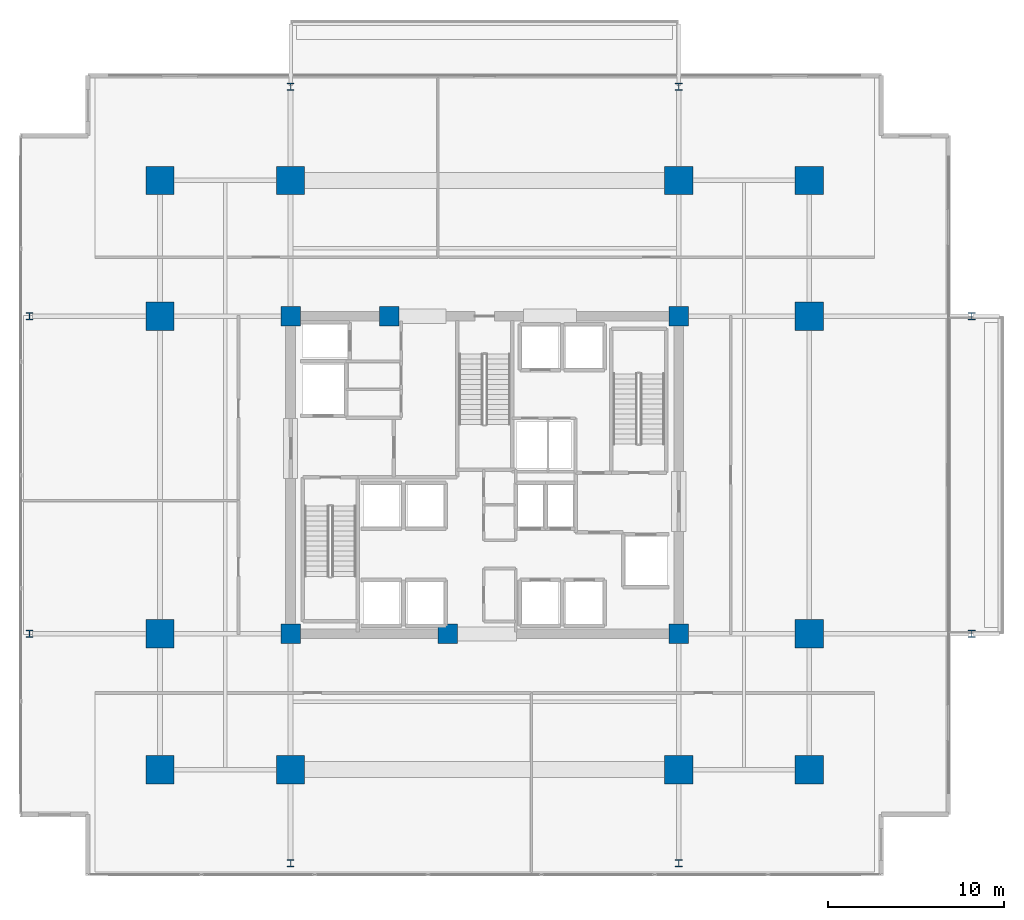
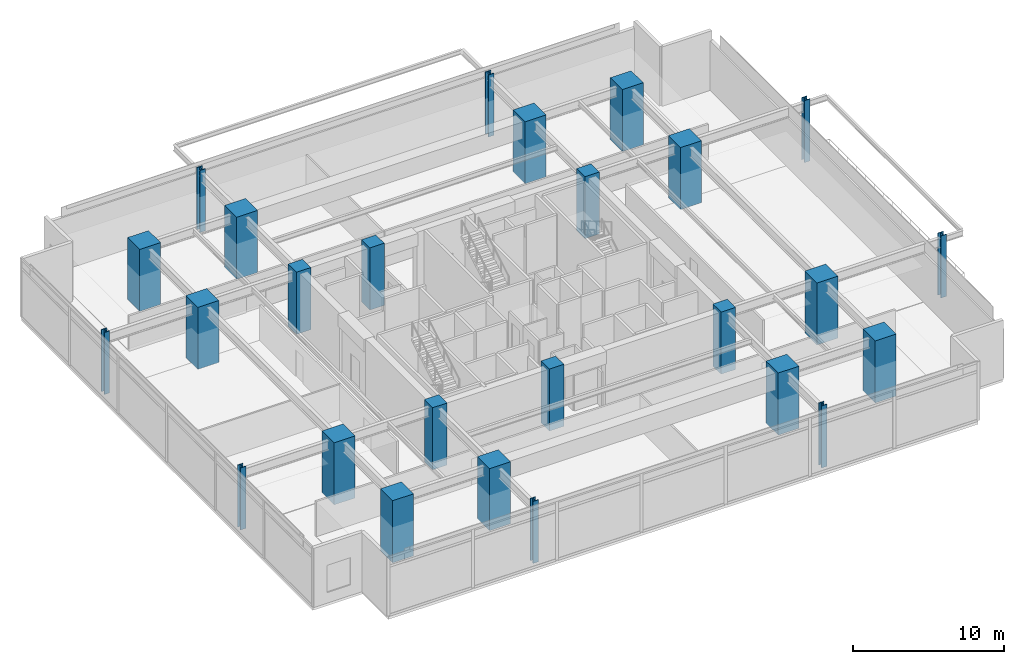
# One storey, part 1 of 20: 26 columns.
"""IFC4 building model written with IfcOpenShell, lengths in metres."""

from ifc_helpers import new_model, si_unit, direction, frame, origin, origin_2d, place, context, subcontext, project, spatial, rectangle, i_section, extrude, material, material_profile, profile_set, type_object, element, save


model = new_model("IFC4")

# Units and contexts
model_context = context("Model", 3, precision=1e-05, world=origin(), true_north=direction((0.0, 1.0)))
body_context = subcontext(model_context, "Body", "Model", "MODEL_VIEW")
ifc_project = project(units=[si_unit("LENGTHUNIT", "METRE"), si_unit("AREAUNIT", "SQUARE_METRE"), si_unit("VOLUMEUNIT", "CUBIC_METRE"), si_unit("PLANEANGLEUNIT", "RADIAN"), si_unit("MASSUNIT", "GRAM", prefix="KILO")], contexts=[model_context])

# Site, building, storey
site_placement = place(None, origin())
site = spatial("IfcSite", under=ifc_project, at=site_placement, CompositionType="ELEMENT")
building_placement = place(site_placement, origin())
building = spatial("IfcBuilding", under=site, at=building_placement, Name="Kovane Verandah Tower", CompositionType="ELEMENT")
storey_placement = place(building_placement, frame((0.0, 0.0, 123.39990234375)))
storey = spatial("IfcBuildingStorey", under=building, at=storey_placement, Name="L28", CompositionType="ELEMENT", Elevation=123.39990234375)

# Columns
ifc_material_1 = material(Name="Concrete C80/95", Category="concrete")
ifc_material_profile_1 = material_profile(ifc_material_1, rectangle(XDim=1.60009765625, YDim=1.60009765625, at=origin_2d()), Name="RC1600x1600")
ifc_profile_set_1 = profile_set([ifc_material_profile_1], Name="Concrete C80/95")
column_type_1 = type_object("IfcColumnType", Name="COL-RC1600", PredefinedType="COLUMN", material=ifc_profile_set_1)
for number, where, z_axis, x_axis, name in (
    (1, (29.0, 10.800048828125, 0.0), (0.0, 0.0, 1.0), (1.0, 0.0, 0.0), "L28 Tower Mega-Column MC-S1"),
    (2, (51.0, 10.800048828125, 0.0), (0.0, 0.0, 1.0), (1.0, 0.0, 0.0), "L28 Tower Mega-Column MC-S2"),
    (3, (29.0, 44.199951171875, 0.0), (0.0, 0.0, 1.0), (1.0, 0.0, 0.0), "L28 Tower Mega-Column MC-N1"),
    (4, (51.0, 44.199951171875, 0.0), (0.0, 0.0, 1.0), (1.0, 0.0, 0.0), "L28 Tower Mega-Column MC-N2"),
    (5, (21.60009765625, 18.5, 0.0), (0.0, 0.0, 1.0), (1.0, 0.0, 0.0), "L28 Tower Mega-Column MC-W1"),
    (6, (21.60009765625, 36.5, 0.0), (0.0, 0.0, 1.0), (1.0, 0.0, 0.0), "L28 Tower Mega-Column MC-W2"),
    (7, (58.39990234375, 18.5, 0.0), (0.0, 0.0, 1.0), (1.0, 0.0, 0.0), "L28 Tower Mega-Column MC-E1"),
    (8, (58.39990234375, 36.5, 0.0), (0.0, 0.0, 1.0), (1.0, 0.0, 0.0), "L28 Tower Mega-Column MC-E2"),
    (9, (21.60009765625, 10.800048828125, 0.0), (0.0, 0.0, 1.0), (1.0, 0.0, 0.0), "L28 Tower Mega-Column MC-SW"),
    (10, (58.39990234375, 10.800048828125, 0.0), (0.0, 0.0, 1.0), (1.0, 0.0, 0.0), "L28 Tower Mega-Column MC-SE"),
    (11, (21.60009765625, 44.199951171875, 0.0), (0.0, 0.0, 1.0), (1.0, 0.0, 0.0), "L28 Tower Mega-Column MC-NW"),
    (12, (58.39990234375, 44.199951171875, 0.0), (0.0, 0.0, 1.0), (1.0, 0.0, 0.0), "L28 Tower Mega-Column MC-NE"),
):
    element("IfcColumn", number, at=place(storey_placement, frame(where, z_axis=z_axis, x_axis=x_axis)), inside=storey, type_object=column_type_1, Name=name, PredefinedType="COLUMN", context=body_context, shape_type="SweptSolid", body=[
        extrude(rectangle(XDim=1.60009765625, YDim=1.60009765625, at=origin_2d()), origin(), (0.0, 0.0, 1.0), 5.0),
    ])
ifc_material_2 = material(Name="Steel S460", Category="steel")
ifc_material_profile_2 = material_profile(ifc_material_2, i_section(OverallWidth=0.412109375, OverallDepth=0.4365234375, WebThickness=0.035888671875, FlangeThickness=0.05810546875, FilletRadius=0.01513671875, at=origin_2d()), Name="UC356x406x467")
ifc_profile_set_2 = profile_set([ifc_material_profile_2], Name="Steel S460")
column_type_2 = type_object("IfcColumnType", Name="COL-UC467", PredefinedType="COLUMN", material=ifc_profile_set_2)
for number, where, z_axis, x_axis, name in (
    (13, (14.199951171875, 18.5, 0.0), (0.0, 0.0, 1.0), (1.0, 0.0, 0.0), "L28 Verandah Perimeter Column VC-W1"),
    (14, (14.199951171875, 36.5, 0.0), (0.0, 0.0, 1.0), (1.0, 0.0, 0.0), "L28 Verandah Perimeter Column VC-W2"),
    (15, (67.60009765625, 18.5, 0.0), (0.0, 0.0, 1.0), (1.0, 0.0, 0.0), "L28 Verandah Perimeter Column VC-E1"),
    (16, (67.60009765625, 36.5, 0.0), (0.0, 0.0, 1.0), (1.0, 0.0, 0.0), "L28 Verandah Perimeter Column VC-E2"),
    (17, (29.0, 5.5, 0.0), (0.0, 0.0, 1.0), (1.0, 0.0, 0.0), "L28 Verandah Perimeter Column VC-S1"),
    (18, (51.0, 5.5, 0.0), (0.0, 0.0, 1.0), (1.0, 0.0, 0.0), "L28 Verandah Perimeter Column VC-S2"),
    (19, (29.0, 49.5, 0.0), (0.0, 0.0, 1.0), (1.0, 0.0, 0.0), "L28 Verandah Perimeter Column VC-N1"),
    (20, (51.0, 49.5, 0.0), (0.0, 0.0, 1.0), (1.0, 0.0, 0.0), "L28 Verandah Perimeter Column VC-N2"),
):
    element("IfcColumn", number, at=place(storey_placement, frame(where, z_axis=z_axis, x_axis=x_axis)), inside=storey, type_object=column_type_2, Name=name, PredefinedType="COLUMN", context=body_context, shape_type="SweptSolid", body=[
        extrude(i_section(OverallWidth=0.412109375, OverallDepth=0.4365234375, WebThickness=0.035888671875, FlangeThickness=0.05810546875, FilletRadius=0.01513671875, at=origin_2d()), origin(), (0.0, 0.0, 1.0), 5.0),
    ])
ifc_material_profile_3 = material_profile(ifc_material_1, rectangle(XDim=1.10009765625, YDim=1.10009765625, at=origin_2d()), Name="RC1100x1100")
ifc_profile_set_3 = profile_set([ifc_material_profile_3], Name="Concrete C80/95")
column_type_3 = type_object("IfcColumnType", Name="PIL-RC1100", PredefinedType="PILASTER", material=ifc_profile_set_3)
for number, where, z_axis, x_axis, name in (
    (21, (29.0, 18.5, 0.0), (0.0, 0.0, 1.0), (1.0, 0.0, 0.0), "L28 Core Pilaster CP-SW"),
    (22, (51.0, 18.5, 0.0), (0.0, 0.0, 1.0), (1.0, 0.0, 0.0), "L28 Core Pilaster CP-SE"),
    (23, (29.0, 36.5, 0.0), (0.0, 0.0, 1.0), (1.0, 0.0, 0.0), "L28 Core Pilaster CP-NW"),
    (24, (51.0, 36.5, 0.0), (0.0, 0.0, 1.0), (1.0, 0.0, 0.0), "L28 Core Pilaster CP-NE"),
    (25, (37.89990234375, 18.5, 0.0), (0.0, 0.0, 1.0), (1.0, 0.0, 0.0), "L28 Core Pilaster CP-S"),
    (26, (34.60009765625, 36.5, 0.0), (0.0, 0.0, 1.0), (1.0, 0.0, 0.0), "L28 Core Pilaster CP-N"),
):
    element("IfcColumn", number, at=place(storey_placement, frame(where, z_axis=z_axis, x_axis=x_axis)), inside=storey, type_object=column_type_3, Name=name, PredefinedType="PILASTER", context=body_context, shape_type="SweptSolid", body=[
        extrude(rectangle(XDim=1.10009765625, YDim=1.10009765625, at=origin_2d()), origin(), (0.0, 0.0, 1.0), 5.0),
    ])

save(model, "model.ifc")
